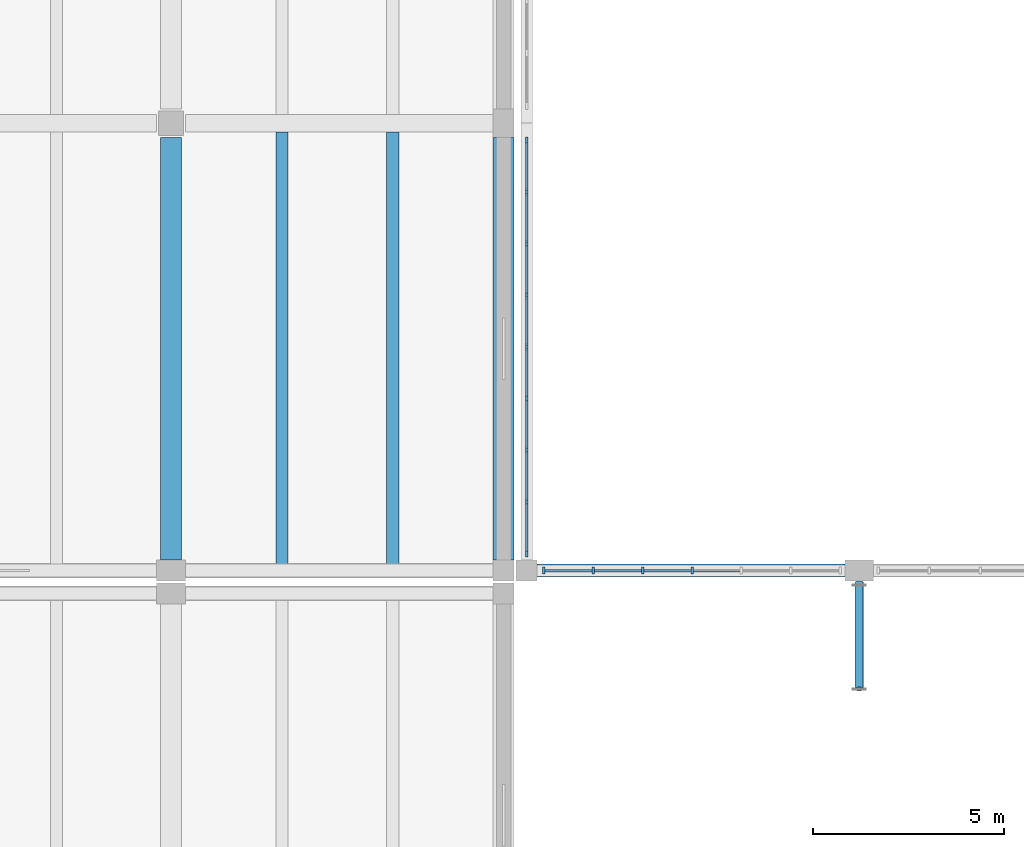
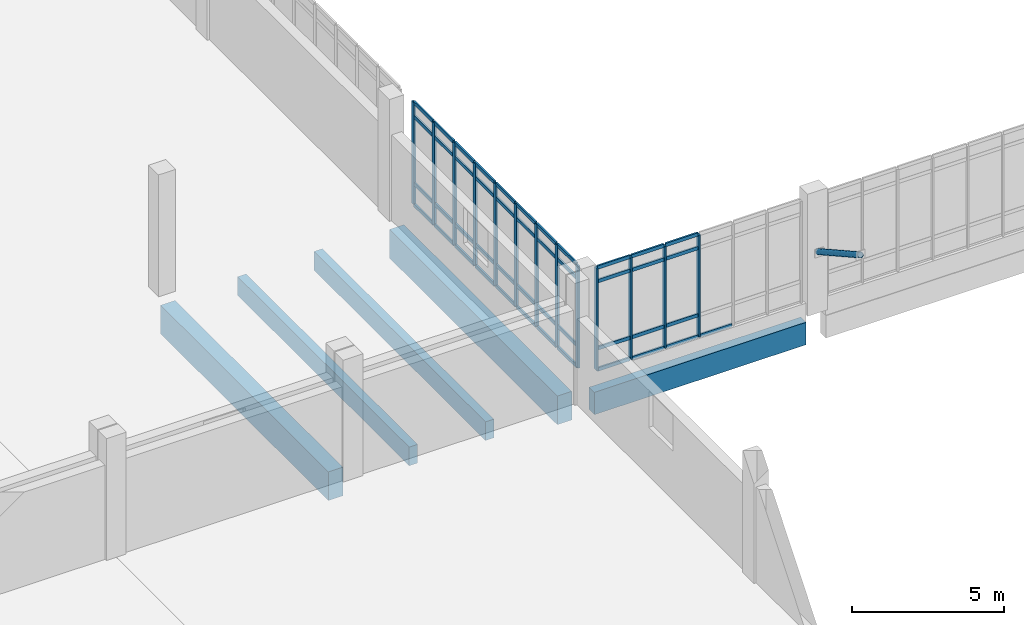
# One storey, part 23 of 110: 59 members, 5 beams, 2 elements without a shape of their own.
"""IFC4 building model written with IfcOpenShell, lengths in metres."""

from ifc_helpers import new_model, si_unit, direction, frame, origin, origin_2d, place, context, subcontext, project, spatial, rectangle, hollow_circle, extrude, material, layer, layer_set, material_profile, profile_set, type_object, element, aggregate, save


model = new_model("IFC4")

# Units and contexts
model_context = context("Model", 3, precision=1e-05, world=origin(), true_north=direction((0.0, 1.0)))
body_context = subcontext(model_context, "Body", "Model", "MODEL_VIEW")
ifc_project = project(units=[si_unit("LENGTHUNIT", "METRE"), si_unit("AREAUNIT", "SQUARE_METRE"), si_unit("VOLUMEUNIT", "CUBIC_METRE"), si_unit("PLANEANGLEUNIT", "RADIAN"), si_unit("MASSUNIT", "GRAM", prefix="KILO")], contexts=[model_context])

# Site, building, storey
site_placement = place(None, origin())
site = spatial("IfcSite", under=ifc_project, at=site_placement, CompositionType="ELEMENT")
building_placement = place(site_placement, origin())
building = spatial("IfcBuilding", under=site, at=building_placement, Name="Zacnel Wholesale Market", CompositionType="ELEMENT")
storey_placement = place(building_placement, frame((0.0, 0.0, 6.300048828125)))
storey = spatial("IfcBuildingStorey", under=building, at=storey_placement, Name="L02", CompositionType="ELEMENT", Elevation=6.300048828125)

# Beams
ifc_material_1 = material(Name="Precast concrete C45/55", Category="concrete")
ifc_material_profile_1 = material_profile(ifc_material_1, rectangle(XDim=0.320068359375, YDim=0.75, at=origin_2d()), Name="DT RIB 320x750")
ifc_profile_set_1 = profile_set([ifc_material_profile_1], Name="Precast concrete C45/55")
beam_type_1 = type_object("IfcBeamType", Name="BM-DT750", PredefinedType="JOIST", material=ifc_profile_set_1)
for number, where, z_axis, x_axis, name in (
    (1, (65.89990234375, 96.47509765625, -0.695068359375), (0.0, 1.0, 0.0), (-1.0, 0.0, 0.0), "Precast secondary joist L02-0289"),
    (2, (68.800048828125, 96.47509765625, -0.695068359375), (0.0, 1.0, 0.0), (-1.0, 0.0, 0.0), "Precast secondary joist L02-0290"),
):
    element("IfcBeam", number, at=place(storey_placement, frame(where, z_axis=z_axis, x_axis=x_axis)), inside=storey, type_object=beam_type_1, Name=name, PredefinedType="JOIST", context=body_context, shape_type="SweptSolid", body=[
        extrude(rectangle(XDim=0.320068359375, YDim=0.75, at=origin_2d()), origin(), (0.0, 0.0, 1.0), 11.2998046875),
    ])
ifc_material_2 = material(Name="Precast concrete C45/55", Category="concrete")
ifc_material_profile_2 = material_profile(ifc_material_2, rectangle(XDim=0.550048828125, YDim=1.14990234375, at=origin_2d()), Name="PG 550x1150")
ifc_profile_set_2 = profile_set([ifc_material_profile_2], Name="Precast concrete C45/55")
beam_type_2 = type_object("IfcBeamType", Name="BM-PG1150", PredefinedType="T_BEAM", material=ifc_profile_set_2)
for number, where, z_axis, x_axis, name in (
    (3, (63.0, 96.574951171875, -0.89501953125), (0.0, 1.0, 0.0), (-1.0, 0.0, 0.0), "Precast girder Y-0397"),
    (4, (71.699951171875, 96.574951171875, -0.89501953125), (0.0, 1.0, 0.0), (-1.0, 0.0, 0.0), "Precast girder Y-0412"),
):
    element("IfcBeam", number, at=place(storey_placement, frame(where, z_axis=z_axis, x_axis=x_axis)), inside=storey, type_object=beam_type_2, Name=name, PredefinedType="T_BEAM", context=body_context, shape_type="SweptSolid", body=[
        extrude(rectangle(XDim=0.550048828125, YDim=1.14990234375, at=origin_2d()), origin(), (0.0, 0.0, 1.0), 11.050048828125),
    ])
ifc_material_3 = material(Name="Precast concrete C45/55", Category="concrete")
ifc_material_profile_3 = material_profile(ifc_material_3, rectangle(XDim=0.35009765625, YDim=0.89990234375, at=origin_2d()), Name="SP 350x900")
ifc_profile_set_3 = profile_set([ifc_material_profile_3], Name="Precast concrete C45/55")
beam_type_3 = type_object("IfcBeamType", Name="BM-SP900", PredefinedType="SPANDREL", material=ifc_profile_set_3)
beam_placement = place(storey_placement, frame((72.574951171875, 96.300048828125, -0.75), z_axis=(1.0, 0.0, 0.0), x_axis=(0.0, 1.0, 0.0)))
element("IfcBeam", 5, at=beam_placement, inside=storey, type_object=beam_type_3, Name="Precast girder X-0229", PredefinedType="SPANDREL", context=body_context, shape_type="SweptSolid", body=[
    extrude(rectangle(XDim=0.35009765625, YDim=0.89990234375, at=origin_2d()), origin(), (0.0, 0.0, 1.0), 8.050048828125),
])

# Curtain wall, members
ifc_material_4 = material(Name="Anodised aluminium", Category="aluminium")
ifc_layer = layer(ifc_material_4, 0.159912109375)
ifc_layer_set = layer_set([ifc_layer], Name="Anodised aluminium")
curtain_wall_type = type_object("IfcCurtainWallType", Name="CW-NAVE-4200", PredefinedType="NOTDEFINED", material=ifc_layer_set)
curtain_wall_1_placement = place(storey_placement, origin())
curtain_wall_1 = element("IfcCurtainWall", 6, at=curtain_wall_1_placement, inside=storey, type_object=curtain_wall_type, Name="Curtain wall ENV-R2-CW-L02-020", PredefinedType="NOTDEFINED")
ifc_material_5 = material(Name="Anodised aluminium", Category="aluminium")
ifc_material_profile_4 = material_profile(ifc_material_5, rectangle(XDim=0.06494140625, YDim=0.179931640625, at=origin_2d()), Name="AW-MULLION 65x180")
ifc_profile_set_4 = profile_set([ifc_material_profile_4], Name="Anodised aluminium")
member_type_1 = type_object("IfcMemberType", Name="CWM-MUL-03", PredefinedType="MULLION", material=ifc_profile_set_4)
member_1_placement = place(storey_placement, frame((72.75, 96.300048828125, 0.449951171875), z_axis=(0.0, 0.0, 1.0), x_axis=(1.0, 0.0, 0.0)))
member_1 = element("IfcMember", 7, at=member_1_placement, type_object=member_type_1, Name="ENV-R2-CW-L02-020 mullion 01", PredefinedType="MULLION", context=body_context, shape_type="SweptSolid", body=[
    extrude(rectangle(XDim=0.06494140625, YDim=0.179931640625, at=origin_2d()), origin(), (0.0, 0.0, 1.0), 4.10009765625),
])
member_2_placement = place(storey_placement, frame((74.04248046875, 96.300048828125, 0.449951171875), z_axis=(0.0, 0.0, 1.0), x_axis=(1.0, 0.0, 0.0)))
member_2 = element("IfcMember", 8, at=member_2_placement, type_object=member_type_1, Name="ENV-R2-CW-L02-020 mullion 02", PredefinedType="MULLION", context=body_context, shape_type="SweptSolid", body=[
    extrude(rectangle(XDim=0.06494140625, YDim=0.179931640625, at=origin_2d()), origin(), (0.0, 0.0, 1.0), 4.10009765625),
])
member_3_placement = place(storey_placement, frame((75.3349609375, 96.300048828125, 0.449951171875), z_axis=(0.0, 0.0, 1.0), x_axis=(1.0, 0.0, 0.0)))
member_3 = element("IfcMember", 9, at=member_3_placement, type_object=member_type_1, Name="ENV-R2-CW-L02-020 mullion 03", PredefinedType="MULLION", context=body_context, shape_type="SweptSolid", body=[
    extrude(rectangle(XDim=0.06494140625, YDim=0.179931640625, at=origin_2d()), origin(), (0.0, 0.0, 1.0), 4.10009765625),
])
member_4_placement = place(storey_placement, frame((76.62744140625, 96.300048828125, 0.449951171875), z_axis=(0.0, 0.0, 1.0), x_axis=(1.0, 0.0, 0.0)))
member_4 = element("IfcMember", 10, at=member_4_placement, type_object=member_type_1, Name="ENV-R2-CW-L02-020 mullion 04", PredefinedType="MULLION", context=body_context, shape_type="SweptSolid", body=[
    extrude(rectangle(XDim=0.06494140625, YDim=0.179931640625, at=origin_2d()), origin(), (0.0, 0.0, 1.0), 4.10009765625),
])

curtain_wall_2_placement = place(storey_placement, origin())
curtain_wall_2 = element("IfcCurtainWall", 11, at=curtain_wall_2_placement, inside=storey, type_object=curtain_wall_type, Name="Curtain wall ENV-R2-CW-L02-029", PredefinedType="NOTDEFINED")
member_5_placement = place(storey_placement, frame((72.300048828125, 96.75, 0.449951171875), z_axis=(0.0, 0.0, 1.0), x_axis=(1.0, 0.0, 0.0)))
member_5 = element("IfcMember", 12, at=member_5_placement, type_object=member_type_1, Name="ENV-R2-CW-L02-029 mullion 01", PredefinedType="MULLION", context=body_context, shape_type="SweptSolid", body=[
    extrude(rectangle(XDim=0.06494140625, YDim=0.179931640625, at=origin_2d()), origin(), (0.0, 0.0, 1.0), 4.10009765625),
])
member_6_placement = place(storey_placement, frame((72.300048828125, 98.10009765625, 0.449951171875), z_axis=(0.0, 0.0, 1.0), x_axis=(1.0, 0.0, 0.0)))
member_6 = element("IfcMember", 13, at=member_6_placement, type_object=member_type_1, Name="ENV-R2-CW-L02-029 mullion 02", PredefinedType="MULLION", context=body_context, shape_type="SweptSolid", body=[
    extrude(rectangle(XDim=0.06494140625, YDim=0.179931640625, at=origin_2d()), origin(), (0.0, 0.0, 1.0), 4.10009765625),
])
member_7_placement = place(storey_placement, frame((72.300048828125, 99.449951171875, 0.449951171875), z_axis=(0.0, 0.0, 1.0), x_axis=(1.0, 0.0, 0.0)))
member_7 = element("IfcMember", 14, at=member_7_placement, type_object=member_type_1, Name="ENV-R2-CW-L02-029 mullion 03", PredefinedType="MULLION", context=body_context, shape_type="SweptSolid", body=[
    extrude(rectangle(XDim=0.06494140625, YDim=0.179931640625, at=origin_2d()), origin(), (0.0, 0.0, 1.0), 4.10009765625),
])
member_8_placement = place(storey_placement, frame((72.300048828125, 100.800048828125, 0.449951171875), z_axis=(0.0, 0.0, 1.0), x_axis=(1.0, 0.0, 0.0)))
member_8 = element("IfcMember", 15, at=member_8_placement, type_object=member_type_1, Name="ENV-R2-CW-L02-029 mullion 04", PredefinedType="MULLION", context=body_context, shape_type="SweptSolid", body=[
    extrude(rectangle(XDim=0.06494140625, YDim=0.179931640625, at=origin_2d()), origin(), (0.0, 0.0, 1.0), 4.10009765625),
])
member_9_placement = place(storey_placement, frame((72.300048828125, 102.14990234375, 0.449951171875), z_axis=(0.0, 0.0, 1.0), x_axis=(1.0, 0.0, 0.0)))
member_9 = element("IfcMember", 16, at=member_9_placement, type_object=member_type_1, Name="ENV-R2-CW-L02-029 mullion 05", PredefinedType="MULLION", context=body_context, shape_type="SweptSolid", body=[
    extrude(rectangle(XDim=0.06494140625, YDim=0.179931640625, at=origin_2d()), origin(), (0.0, 0.0, 1.0), 4.10009765625),
])
member_10_placement = place(storey_placement, frame((72.300048828125, 103.5, 0.449951171875), z_axis=(0.0, 0.0, 1.0), x_axis=(1.0, 0.0, 0.0)))
member_10 = element("IfcMember", 17, at=member_10_placement, type_object=member_type_1, Name="ENV-R2-CW-L02-029 mullion 06", PredefinedType="MULLION", context=body_context, shape_type="SweptSolid", body=[
    extrude(rectangle(XDim=0.06494140625, YDim=0.179931640625, at=origin_2d()), origin(), (0.0, 0.0, 1.0), 4.10009765625),
])
member_11_placement = place(storey_placement, frame((72.300048828125, 104.85009765625, 0.449951171875), z_axis=(0.0, 0.0, 1.0), x_axis=(1.0, 0.0, 0.0)))
member_11 = element("IfcMember", 18, at=member_11_placement, type_object=member_type_1, Name="ENV-R2-CW-L02-029 mullion 07", PredefinedType="MULLION", context=body_context, shape_type="SweptSolid", body=[
    extrude(rectangle(XDim=0.06494140625, YDim=0.179931640625, at=origin_2d()), origin(), (0.0, 0.0, 1.0), 4.10009765625),
])
member_12_placement = place(storey_placement, frame((72.300048828125, 106.199951171875, 0.449951171875), z_axis=(0.0, 0.0, 1.0), x_axis=(1.0, 0.0, 0.0)))
member_12 = element("IfcMember", 19, at=member_12_placement, type_object=member_type_1, Name="ENV-R2-CW-L02-029 mullion 08", PredefinedType="MULLION", context=body_context, shape_type="SweptSolid", body=[
    extrude(rectangle(XDim=0.06494140625, YDim=0.179931640625, at=origin_2d()), origin(), (0.0, 0.0, 1.0), 4.10009765625),
])
member_13_placement = place(storey_placement, frame((72.300048828125, 107.550048828125, 0.449951171875), z_axis=(0.0, 0.0, 1.0), x_axis=(1.0, 0.0, 0.0)))
member_13 = element("IfcMember", 20, at=member_13_placement, type_object=member_type_1, Name="ENV-R2-CW-L02-029 mullion 09", PredefinedType="MULLION", context=body_context, shape_type="SweptSolid", body=[
    extrude(rectangle(XDim=0.06494140625, YDim=0.179931640625, at=origin_2d()), origin(), (0.0, 0.0, 1.0), 4.10009765625),
])

# Member
ifc_material_6 = material(Name="Anodised aluminium", Category="aluminium")
ifc_material_profile_5 = material_profile(ifc_material_6, rectangle(XDim=0.06494140625, YDim=0.139892578125, at=origin_2d()), Name="AW-TRANSOM 65x140")
ifc_profile_set_5 = profile_set([ifc_material_profile_5], Name="Anodised aluminium")
member_type_2 = type_object("IfcMemberType", Name="CWM-TRN-03", PredefinedType="USERDEFINED", material=ifc_profile_set_5)
member_14_placement = place(storey_placement, frame((72.784912109375, 96.300048828125, 0.449951171875), z_axis=(1.0, 0.0, 0.0), x_axis=(0.0, 1.0, 0.0)))
member_14 = element("IfcMember", 21, at=member_14_placement, type_object=member_type_2, Name="ENV-R2-CW-L02-020 transom 1-1", ObjectType="TRANSOM", PredefinedType="USERDEFINED", context=body_context, shape_type="SweptSolid", body=[
    extrude(rectangle(XDim=0.06494140625, YDim=0.139892578125, at=origin_2d()), origin(), (0.0, 0.0, 1.0), 1.22265625),
])

member_15_placement = place(storey_placement, frame((72.784912109375, 96.300048828125, 1.300048828125), z_axis=(1.0, 0.0, 0.0), x_axis=(0.0, 1.0, 0.0)))
member_15 = element("IfcMember", 22, at=member_15_placement, type_object=member_type_2, Name="ENV-R2-CW-L02-020 transom 1-2", ObjectType="TRANSOM", PredefinedType="USERDEFINED", context=body_context, shape_type="SweptSolid", body=[
    extrude(rectangle(XDim=0.06494140625, YDim=0.139892578125, at=origin_2d()), origin(), (0.0, 0.0, 1.0), 1.22265625),
])

member_16_placement = place(storey_placement, frame((72.784912109375, 96.300048828125, 4.0), z_axis=(1.0, 0.0, 0.0), x_axis=(0.0, 1.0, 0.0)))
member_16 = element("IfcMember", 23, at=member_16_placement, type_object=member_type_2, Name="ENV-R2-CW-L02-020 transom 1-3", ObjectType="TRANSOM", PredefinedType="USERDEFINED", context=body_context, shape_type="SweptSolid", body=[
    extrude(rectangle(XDim=0.06494140625, YDim=0.139892578125, at=origin_2d()), origin(), (0.0, 0.0, 1.0), 1.22265625),
])

member_17_placement = place(storey_placement, frame((72.784912109375, 96.300048828125, 4.550048828125), z_axis=(1.0, 0.0, 0.0), x_axis=(0.0, 1.0, 0.0)))
member_17 = element("IfcMember", 24, at=member_17_placement, type_object=member_type_2, Name="ENV-R2-CW-L02-020 transom 1-4", ObjectType="TRANSOM", PredefinedType="USERDEFINED", context=body_context, shape_type="SweptSolid", body=[
    extrude(rectangle(XDim=0.06494140625, YDim=0.139892578125, at=origin_2d()), origin(), (0.0, 0.0, 1.0), 1.22265625),
])

member_18_placement = place(storey_placement, frame((74.077392578125, 96.300048828125, 0.449951171875), z_axis=(1.0, 0.0, 0.0), x_axis=(0.0, 1.0, 0.0)))
member_18 = element("IfcMember", 25, at=member_18_placement, type_object=member_type_2, Name="ENV-R2-CW-L02-020 transom 2-1", ObjectType="TRANSOM", PredefinedType="USERDEFINED", context=body_context, shape_type="SweptSolid", body=[
    extrude(rectangle(XDim=0.06494140625, YDim=0.139892578125, at=origin_2d()), origin(), (0.0, 0.0, 1.0), 1.22265625),
])

member_19_placement = place(storey_placement, frame((74.077392578125, 96.300048828125, 1.300048828125), z_axis=(1.0, 0.0, 0.0), x_axis=(0.0, 1.0, 0.0)))
member_19 = element("IfcMember", 26, at=member_19_placement, type_object=member_type_2, Name="ENV-R2-CW-L02-020 transom 2-2", ObjectType="TRANSOM", PredefinedType="USERDEFINED", context=body_context, shape_type="SweptSolid", body=[
    extrude(rectangle(XDim=0.06494140625, YDim=0.139892578125, at=origin_2d()), origin(), (0.0, 0.0, 1.0), 1.22265625),
])

member_20_placement = place(storey_placement, frame((74.077392578125, 96.300048828125, 4.0), z_axis=(1.0, 0.0, 0.0), x_axis=(0.0, 1.0, 0.0)))
member_20 = element("IfcMember", 27, at=member_20_placement, type_object=member_type_2, Name="ENV-R2-CW-L02-020 transom 2-3", ObjectType="TRANSOM", PredefinedType="USERDEFINED", context=body_context, shape_type="SweptSolid", body=[
    extrude(rectangle(XDim=0.06494140625, YDim=0.139892578125, at=origin_2d()), origin(), (0.0, 0.0, 1.0), 1.22265625),
])

member_21_placement = place(storey_placement, frame((74.077392578125, 96.300048828125, 4.550048828125), z_axis=(1.0, 0.0, 0.0), x_axis=(0.0, 1.0, 0.0)))
member_21 = element("IfcMember", 28, at=member_21_placement, type_object=member_type_2, Name="ENV-R2-CW-L02-020 transom 2-4", ObjectType="TRANSOM", PredefinedType="USERDEFINED", context=body_context, shape_type="SweptSolid", body=[
    extrude(rectangle(XDim=0.06494140625, YDim=0.139892578125, at=origin_2d()), origin(), (0.0, 0.0, 1.0), 1.22265625),
])

member_22_placement = place(storey_placement, frame((75.3701171875, 96.300048828125, 0.449951171875), z_axis=(1.0, 0.0, 0.0), x_axis=(0.0, 1.0, 0.0)))
member_22 = element("IfcMember", 29, at=member_22_placement, type_object=member_type_2, Name="ENV-R2-CW-L02-020 transom 3-1", ObjectType="TRANSOM", PredefinedType="USERDEFINED", context=body_context, shape_type="SweptSolid", body=[
    extrude(rectangle(XDim=0.06494140625, YDim=0.139892578125, at=origin_2d()), origin(), (0.0, 0.0, 1.0), 1.222412109375),
])

member_23_placement = place(storey_placement, frame((75.3701171875, 96.300048828125, 1.300048828125), z_axis=(1.0, 0.0, 0.0), x_axis=(0.0, 1.0, 0.0)))
member_23 = element("IfcMember", 30, at=member_23_placement, type_object=member_type_2, Name="ENV-R2-CW-L02-020 transom 3-2", ObjectType="TRANSOM", PredefinedType="USERDEFINED", context=body_context, shape_type="SweptSolid", body=[
    extrude(rectangle(XDim=0.06494140625, YDim=0.139892578125, at=origin_2d()), origin(), (0.0, 0.0, 1.0), 1.222412109375),
])

member_24_placement = place(storey_placement, frame((75.3701171875, 96.300048828125, 4.0), z_axis=(1.0, 0.0, 0.0), x_axis=(0.0, 1.0, 0.0)))
member_24 = element("IfcMember", 31, at=member_24_placement, type_object=member_type_2, Name="ENV-R2-CW-L02-020 transom 3-3", ObjectType="TRANSOM", PredefinedType="USERDEFINED", context=body_context, shape_type="SweptSolid", body=[
    extrude(rectangle(XDim=0.06494140625, YDim=0.139892578125, at=origin_2d()), origin(), (0.0, 0.0, 1.0), 1.222412109375),
])

member_25_placement = place(storey_placement, frame((75.3701171875, 96.300048828125, 4.550048828125), z_axis=(1.0, 0.0, 0.0), x_axis=(0.0, 1.0, 0.0)))
member_25 = element("IfcMember", 32, at=member_25_placement, type_object=member_type_2, Name="ENV-R2-CW-L02-020 transom 3-4", ObjectType="TRANSOM", PredefinedType="USERDEFINED", context=body_context, shape_type="SweptSolid", body=[
    extrude(rectangle(XDim=0.06494140625, YDim=0.139892578125, at=origin_2d()), origin(), (0.0, 0.0, 1.0), 1.222412109375),
])

member_26_placement = place(storey_placement, frame((76.66259765625, 96.300048828125, 0.449951171875), z_axis=(1.0, 0.0, 0.0), x_axis=(0.0, 1.0, 0.0)))
member_26 = element("IfcMember", 33, at=member_26_placement, type_object=member_type_2, Name="ENV-R2-CW-L02-020 transom 4-1", ObjectType="TRANSOM", PredefinedType="USERDEFINED", context=body_context, shape_type="SweptSolid", body=[
    extrude(rectangle(XDim=0.06494140625, YDim=0.139892578125, at=origin_2d()), origin(), (0.0, 0.0, 1.0), 1.222412109375),
])

aggregate(curtain_wall_1, [member_1, member_2, member_3, member_4, member_14, member_15, member_16, member_17, member_18, member_19, member_20, member_21, member_22, member_23, member_24, member_25, member_26])

member_27_placement = place(storey_placement, frame((72.300048828125, 96.784912109375, 0.449951171875), z_axis=(0.0, 1.0, 0.0), x_axis=(-1.0, 0.0, 0.0)))
member_27 = element("IfcMember", 34, at=member_27_placement, type_object=member_type_2, Name="ENV-R2-CW-L02-029 transom 1-1", ObjectType="TRANSOM", PredefinedType="USERDEFINED", context=body_context, shape_type="SweptSolid", body=[
    extrude(rectangle(XDim=0.06494140625, YDim=0.139892578125, at=origin_2d()), origin(), (0.0, 0.0, 1.0), 1.280029296875),
])

member_28_placement = place(storey_placement, frame((72.300048828125, 96.784912109375, 1.300048828125), z_axis=(0.0, 1.0, 0.0), x_axis=(-1.0, 0.0, 0.0)))
member_28 = element("IfcMember", 35, at=member_28_placement, type_object=member_type_2, Name="ENV-R2-CW-L02-029 transom 1-2", ObjectType="TRANSOM", PredefinedType="USERDEFINED", context=body_context, shape_type="SweptSolid", body=[
    extrude(rectangle(XDim=0.06494140625, YDim=0.139892578125, at=origin_2d()), origin(), (0.0, 0.0, 1.0), 1.280029296875),
])

member_29_placement = place(storey_placement, frame((72.300048828125, 96.784912109375, 4.0), z_axis=(0.0, 1.0, 0.0), x_axis=(-1.0, 0.0, 0.0)))
member_29 = element("IfcMember", 36, at=member_29_placement, type_object=member_type_2, Name="ENV-R2-CW-L02-029 transom 1-3", ObjectType="TRANSOM", PredefinedType="USERDEFINED", context=body_context, shape_type="SweptSolid", body=[
    extrude(rectangle(XDim=0.06494140625, YDim=0.139892578125, at=origin_2d()), origin(), (0.0, 0.0, 1.0), 1.280029296875),
])

member_30_placement = place(storey_placement, frame((72.300048828125, 96.784912109375, 4.550048828125), z_axis=(0.0, 1.0, 0.0), x_axis=(-1.0, 0.0, 0.0)))
member_30 = element("IfcMember", 37, at=member_30_placement, type_object=member_type_2, Name="ENV-R2-CW-L02-029 transom 1-4", ObjectType="TRANSOM", PredefinedType="USERDEFINED", context=body_context, shape_type="SweptSolid", body=[
    extrude(rectangle(XDim=0.06494140625, YDim=0.139892578125, at=origin_2d()), origin(), (0.0, 0.0, 1.0), 1.280029296875),
])

member_31_placement = place(storey_placement, frame((72.300048828125, 98.135009765625, 0.449951171875), z_axis=(0.0, 1.0, 0.0), x_axis=(-1.0, 0.0, 0.0)))
member_31 = element("IfcMember", 38, at=member_31_placement, type_object=member_type_2, Name="ENV-R2-CW-L02-029 transom 2-1", ObjectType="TRANSOM", PredefinedType="USERDEFINED", context=body_context, shape_type="SweptSolid", body=[
    extrude(rectangle(XDim=0.06494140625, YDim=0.139892578125, at=origin_2d()), origin(), (0.0, 0.0, 1.0), 1.280029296875),
])

member_32_placement = place(storey_placement, frame((72.300048828125, 98.135009765625, 1.300048828125), z_axis=(0.0, 1.0, 0.0), x_axis=(-1.0, 0.0, 0.0)))
member_32 = element("IfcMember", 39, at=member_32_placement, type_object=member_type_2, Name="ENV-R2-CW-L02-029 transom 2-2", ObjectType="TRANSOM", PredefinedType="USERDEFINED", context=body_context, shape_type="SweptSolid", body=[
    extrude(rectangle(XDim=0.06494140625, YDim=0.139892578125, at=origin_2d()), origin(), (0.0, 0.0, 1.0), 1.280029296875),
])

member_33_placement = place(storey_placement, frame((72.300048828125, 98.135009765625, 4.0), z_axis=(0.0, 1.0, 0.0), x_axis=(-1.0, 0.0, 0.0)))
member_33 = element("IfcMember", 40, at=member_33_placement, type_object=member_type_2, Name="ENV-R2-CW-L02-029 transom 2-3", ObjectType="TRANSOM", PredefinedType="USERDEFINED", context=body_context, shape_type="SweptSolid", body=[
    extrude(rectangle(XDim=0.06494140625, YDim=0.139892578125, at=origin_2d()), origin(), (0.0, 0.0, 1.0), 1.280029296875),
])

member_34_placement = place(storey_placement, frame((72.300048828125, 98.135009765625, 4.550048828125), z_axis=(0.0, 1.0, 0.0), x_axis=(-1.0, 0.0, 0.0)))
member_34 = element("IfcMember", 41, at=member_34_placement, type_object=member_type_2, Name="ENV-R2-CW-L02-029 transom 2-4", ObjectType="TRANSOM", PredefinedType="USERDEFINED", context=body_context, shape_type="SweptSolid", body=[
    extrude(rectangle(XDim=0.06494140625, YDim=0.139892578125, at=origin_2d()), origin(), (0.0, 0.0, 1.0), 1.280029296875),
])

member_35_placement = place(storey_placement, frame((72.300048828125, 99.485107421875, 0.449951171875), z_axis=(0.0, 1.0, 0.0), x_axis=(-1.0, 0.0, 0.0)))
member_35 = element("IfcMember", 42, at=member_35_placement, type_object=member_type_2, Name="ENV-R2-CW-L02-029 transom 3-1", ObjectType="TRANSOM", PredefinedType="USERDEFINED", context=body_context, shape_type="SweptSolid", body=[
    extrude(rectangle(XDim=0.06494140625, YDim=0.139892578125, at=origin_2d()), origin(), (0.0, 0.0, 1.0), 1.27978515625),
])

member_36_placement = place(storey_placement, frame((72.300048828125, 99.485107421875, 1.300048828125), z_axis=(0.0, 1.0, 0.0), x_axis=(-1.0, 0.0, 0.0)))
member_36 = element("IfcMember", 43, at=member_36_placement, type_object=member_type_2, Name="ENV-R2-CW-L02-029 transom 3-2", ObjectType="TRANSOM", PredefinedType="USERDEFINED", context=body_context, shape_type="SweptSolid", body=[
    extrude(rectangle(XDim=0.06494140625, YDim=0.139892578125, at=origin_2d()), origin(), (0.0, 0.0, 1.0), 1.27978515625),
])

member_37_placement = place(storey_placement, frame((72.300048828125, 99.485107421875, 4.0), z_axis=(0.0, 1.0, 0.0), x_axis=(-1.0, 0.0, 0.0)))
member_37 = element("IfcMember", 44, at=member_37_placement, type_object=member_type_2, Name="ENV-R2-CW-L02-029 transom 3-3", ObjectType="TRANSOM", PredefinedType="USERDEFINED", context=body_context, shape_type="SweptSolid", body=[
    extrude(rectangle(XDim=0.06494140625, YDim=0.139892578125, at=origin_2d()), origin(), (0.0, 0.0, 1.0), 1.27978515625),
])

member_38_placement = place(storey_placement, frame((72.300048828125, 99.485107421875, 4.550048828125), z_axis=(0.0, 1.0, 0.0), x_axis=(-1.0, 0.0, 0.0)))
member_38 = element("IfcMember", 45, at=member_38_placement, type_object=member_type_2, Name="ENV-R2-CW-L02-029 transom 3-4", ObjectType="TRANSOM", PredefinedType="USERDEFINED", context=body_context, shape_type="SweptSolid", body=[
    extrude(rectangle(XDim=0.06494140625, YDim=0.139892578125, at=origin_2d()), origin(), (0.0, 0.0, 1.0), 1.27978515625),
])

member_39_placement = place(storey_placement, frame((72.300048828125, 100.8349609375, 0.449951171875), z_axis=(0.0, 1.0, 0.0), x_axis=(-1.0, 0.0, 0.0)))
member_39 = element("IfcMember", 46, at=member_39_placement, type_object=member_type_2, Name="ENV-R2-CW-L02-029 transom 4-1", ObjectType="TRANSOM", PredefinedType="USERDEFINED", context=body_context, shape_type="SweptSolid", body=[
    extrude(rectangle(XDim=0.06494140625, YDim=0.139892578125, at=origin_2d()), origin(), (0.0, 0.0, 1.0), 1.280029296875),
])

member_40_placement = place(storey_placement, frame((72.300048828125, 100.8349609375, 1.300048828125), z_axis=(0.0, 1.0, 0.0), x_axis=(-1.0, 0.0, 0.0)))
member_40 = element("IfcMember", 47, at=member_40_placement, type_object=member_type_2, Name="ENV-R2-CW-L02-029 transom 4-2", ObjectType="TRANSOM", PredefinedType="USERDEFINED", context=body_context, shape_type="SweptSolid", body=[
    extrude(rectangle(XDim=0.06494140625, YDim=0.139892578125, at=origin_2d()), origin(), (0.0, 0.0, 1.0), 1.280029296875),
])

member_41_placement = place(storey_placement, frame((72.300048828125, 100.8349609375, 4.0), z_axis=(0.0, 1.0, 0.0), x_axis=(-1.0, 0.0, 0.0)))
member_41 = element("IfcMember", 48, at=member_41_placement, type_object=member_type_2, Name="ENV-R2-CW-L02-029 transom 4-3", ObjectType="TRANSOM", PredefinedType="USERDEFINED", context=body_context, shape_type="SweptSolid", body=[
    extrude(rectangle(XDim=0.06494140625, YDim=0.139892578125, at=origin_2d()), origin(), (0.0, 0.0, 1.0), 1.280029296875),
])

member_42_placement = place(storey_placement, frame((72.300048828125, 100.8349609375, 4.550048828125), z_axis=(0.0, 1.0, 0.0), x_axis=(-1.0, 0.0, 0.0)))
member_42 = element("IfcMember", 49, at=member_42_placement, type_object=member_type_2, Name="ENV-R2-CW-L02-029 transom 4-4", ObjectType="TRANSOM", PredefinedType="USERDEFINED", context=body_context, shape_type="SweptSolid", body=[
    extrude(rectangle(XDim=0.06494140625, YDim=0.139892578125, at=origin_2d()), origin(), (0.0, 0.0, 1.0), 1.280029296875),
])

member_43_placement = place(storey_placement, frame((72.300048828125, 102.18505859375, 0.449951171875), z_axis=(0.0, 1.0, 0.0), x_axis=(-1.0, 0.0, 0.0)))
member_43 = element("IfcMember", 50, at=member_43_placement, type_object=member_type_2, Name="ENV-R2-CW-L02-029 transom 5-1", ObjectType="TRANSOM", PredefinedType="USERDEFINED", context=body_context, shape_type="SweptSolid", body=[
    extrude(rectangle(XDim=0.06494140625, YDim=0.139892578125, at=origin_2d()), origin(), (0.0, 0.0, 1.0), 1.280029296875),
])

member_44_placement = place(storey_placement, frame((72.300048828125, 102.18505859375, 1.300048828125), z_axis=(0.0, 1.0, 0.0), x_axis=(-1.0, 0.0, 0.0)))
member_44 = element("IfcMember", 51, at=member_44_placement, type_object=member_type_2, Name="ENV-R2-CW-L02-029 transom 5-2", ObjectType="TRANSOM", PredefinedType="USERDEFINED", context=body_context, shape_type="SweptSolid", body=[
    extrude(rectangle(XDim=0.06494140625, YDim=0.139892578125, at=origin_2d()), origin(), (0.0, 0.0, 1.0), 1.280029296875),
])

member_45_placement = place(storey_placement, frame((72.300048828125, 102.18505859375, 4.0), z_axis=(0.0, 1.0, 0.0), x_axis=(-1.0, 0.0, 0.0)))
member_45 = element("IfcMember", 52, at=member_45_placement, type_object=member_type_2, Name="ENV-R2-CW-L02-029 transom 5-3", ObjectType="TRANSOM", PredefinedType="USERDEFINED", context=body_context, shape_type="SweptSolid", body=[
    extrude(rectangle(XDim=0.06494140625, YDim=0.139892578125, at=origin_2d()), origin(), (0.0, 0.0, 1.0), 1.280029296875),
])

member_46_placement = place(storey_placement, frame((72.300048828125, 102.18505859375, 4.550048828125), z_axis=(0.0, 1.0, 0.0), x_axis=(-1.0, 0.0, 0.0)))
member_46 = element("IfcMember", 53, at=member_46_placement, type_object=member_type_2, Name="ENV-R2-CW-L02-029 transom 5-4", ObjectType="TRANSOM", PredefinedType="USERDEFINED", context=body_context, shape_type="SweptSolid", body=[
    extrude(rectangle(XDim=0.06494140625, YDim=0.139892578125, at=origin_2d()), origin(), (0.0, 0.0, 1.0), 1.280029296875),
])

member_47_placement = place(storey_placement, frame((72.300048828125, 103.534912109375, 0.449951171875), z_axis=(0.0, 1.0, 0.0), x_axis=(-1.0, 0.0, 0.0)))
member_47 = element("IfcMember", 54, at=member_47_placement, type_object=member_type_2, Name="ENV-R2-CW-L02-029 transom 6-1", ObjectType="TRANSOM", PredefinedType="USERDEFINED", context=body_context, shape_type="SweptSolid", body=[
    extrude(rectangle(XDim=0.06494140625, YDim=0.139892578125, at=origin_2d()), origin(), (0.0, 0.0, 1.0), 1.280029296875),
])

member_48_placement = place(storey_placement, frame((72.300048828125, 103.534912109375, 1.300048828125), z_axis=(0.0, 1.0, 0.0), x_axis=(-1.0, 0.0, 0.0)))
member_48 = element("IfcMember", 55, at=member_48_placement, type_object=member_type_2, Name="ENV-R2-CW-L02-029 transom 6-2", ObjectType="TRANSOM", PredefinedType="USERDEFINED", context=body_context, shape_type="SweptSolid", body=[
    extrude(rectangle(XDim=0.06494140625, YDim=0.139892578125, at=origin_2d()), origin(), (0.0, 0.0, 1.0), 1.280029296875),
])

member_49_placement = place(storey_placement, frame((72.300048828125, 103.534912109375, 4.0), z_axis=(0.0, 1.0, 0.0), x_axis=(-1.0, 0.0, 0.0)))
member_49 = element("IfcMember", 56, at=member_49_placement, type_object=member_type_2, Name="ENV-R2-CW-L02-029 transom 6-3", ObjectType="TRANSOM", PredefinedType="USERDEFINED", context=body_context, shape_type="SweptSolid", body=[
    extrude(rectangle(XDim=0.06494140625, YDim=0.139892578125, at=origin_2d()), origin(), (0.0, 0.0, 1.0), 1.280029296875),
])

member_50_placement = place(storey_placement, frame((72.300048828125, 103.534912109375, 4.550048828125), z_axis=(0.0, 1.0, 0.0), x_axis=(-1.0, 0.0, 0.0)))
member_50 = element("IfcMember", 57, at=member_50_placement, type_object=member_type_2, Name="ENV-R2-CW-L02-029 transom 6-4", ObjectType="TRANSOM", PredefinedType="USERDEFINED", context=body_context, shape_type="SweptSolid", body=[
    extrude(rectangle(XDim=0.06494140625, YDim=0.139892578125, at=origin_2d()), origin(), (0.0, 0.0, 1.0), 1.280029296875),
])

member_51_placement = place(storey_placement, frame((72.300048828125, 104.885009765625, 0.449951171875), z_axis=(0.0, 1.0, 0.0), x_axis=(-1.0, 0.0, 0.0)))
member_51 = element("IfcMember", 58, at=member_51_placement, type_object=member_type_2, Name="ENV-R2-CW-L02-029 transom 7-1", ObjectType="TRANSOM", PredefinedType="USERDEFINED", context=body_context, shape_type="SweptSolid", body=[
    extrude(rectangle(XDim=0.06494140625, YDim=0.139892578125, at=origin_2d()), origin(), (0.0, 0.0, 1.0), 1.280029296875),
])

member_52_placement = place(storey_placement, frame((72.300048828125, 104.885009765625, 1.300048828125), z_axis=(0.0, 1.0, 0.0), x_axis=(-1.0, 0.0, 0.0)))
member_52 = element("IfcMember", 59, at=member_52_placement, type_object=member_type_2, Name="ENV-R2-CW-L02-029 transom 7-2", ObjectType="TRANSOM", PredefinedType="USERDEFINED", context=body_context, shape_type="SweptSolid", body=[
    extrude(rectangle(XDim=0.06494140625, YDim=0.139892578125, at=origin_2d()), origin(), (0.0, 0.0, 1.0), 1.280029296875),
])

member_53_placement = place(storey_placement, frame((72.300048828125, 104.885009765625, 4.0), z_axis=(0.0, 1.0, 0.0), x_axis=(-1.0, 0.0, 0.0)))
member_53 = element("IfcMember", 60, at=member_53_placement, type_object=member_type_2, Name="ENV-R2-CW-L02-029 transom 7-3", ObjectType="TRANSOM", PredefinedType="USERDEFINED", context=body_context, shape_type="SweptSolid", body=[
    extrude(rectangle(XDim=0.06494140625, YDim=0.139892578125, at=origin_2d()), origin(), (0.0, 0.0, 1.0), 1.280029296875),
])

member_54_placement = place(storey_placement, frame((72.300048828125, 104.885009765625, 4.550048828125), z_axis=(0.0, 1.0, 0.0), x_axis=(-1.0, 0.0, 0.0)))
member_54 = element("IfcMember", 61, at=member_54_placement, type_object=member_type_2, Name="ENV-R2-CW-L02-029 transom 7-4", ObjectType="TRANSOM", PredefinedType="USERDEFINED", context=body_context, shape_type="SweptSolid", body=[
    extrude(rectangle(XDim=0.06494140625, YDim=0.139892578125, at=origin_2d()), origin(), (0.0, 0.0, 1.0), 1.280029296875),
])

member_55_placement = place(storey_placement, frame((72.300048828125, 106.235107421875, 0.449951171875), z_axis=(0.0, 1.0, 0.0), x_axis=(-1.0, 0.0, 0.0)))
member_55 = element("IfcMember", 62, at=member_55_placement, type_object=member_type_2, Name="ENV-R2-CW-L02-029 transom 8-1", ObjectType="TRANSOM", PredefinedType="USERDEFINED", context=body_context, shape_type="SweptSolid", body=[
    extrude(rectangle(XDim=0.06494140625, YDim=0.139892578125, at=origin_2d()), origin(), (0.0, 0.0, 1.0), 1.27978515625),
])

member_56_placement = place(storey_placement, frame((72.300048828125, 106.235107421875, 1.300048828125), z_axis=(0.0, 1.0, 0.0), x_axis=(-1.0, 0.0, 0.0)))
member_56 = element("IfcMember", 63, at=member_56_placement, type_object=member_type_2, Name="ENV-R2-CW-L02-029 transom 8-2", ObjectType="TRANSOM", PredefinedType="USERDEFINED", context=body_context, shape_type="SweptSolid", body=[
    extrude(rectangle(XDim=0.06494140625, YDim=0.139892578125, at=origin_2d()), origin(), (0.0, 0.0, 1.0), 1.27978515625),
])

member_57_placement = place(storey_placement, frame((72.300048828125, 106.235107421875, 4.0), z_axis=(0.0, 1.0, 0.0), x_axis=(-1.0, 0.0, 0.0)))
member_57 = element("IfcMember", 64, at=member_57_placement, type_object=member_type_2, Name="ENV-R2-CW-L02-029 transom 8-3", ObjectType="TRANSOM", PredefinedType="USERDEFINED", context=body_context, shape_type="SweptSolid", body=[
    extrude(rectangle(XDim=0.06494140625, YDim=0.139892578125, at=origin_2d()), origin(), (0.0, 0.0, 1.0), 1.27978515625),
])

member_58_placement = place(storey_placement, frame((72.300048828125, 106.235107421875, 4.550048828125), z_axis=(0.0, 1.0, 0.0), x_axis=(-1.0, 0.0, 0.0)))
member_58 = element("IfcMember", 65, at=member_58_placement, type_object=member_type_2, Name="ENV-R2-CW-L02-029 transom 8-4", ObjectType="TRANSOM", PredefinedType="USERDEFINED", context=body_context, shape_type="SweptSolid", body=[
    extrude(rectangle(XDim=0.06494140625, YDim=0.139892578125, at=origin_2d()), origin(), (0.0, 0.0, 1.0), 1.27978515625),
])

aggregate(curtain_wall_2, [member_5, member_6, member_7, member_8, member_9, member_10, member_11, member_12, member_13, member_27, member_28, member_29, member_30, member_31, member_32, member_33, member_34, member_35, member_36, member_37, member_38, member_39, member_40, member_41, member_42, member_43, member_44, member_45, member_46, member_47, member_48, member_49, member_50, member_51, member_52, member_53, member_54, member_55, member_56, member_57, member_58])

ifc_material_7 = material(Name="Steel S355", Category="steel")
ifc_material_profile_6 = material_profile(ifc_material_7, hollow_circle(Radius=0.109619140625, WallThickness=0.010009765625, at=origin_2d()), Name="CHS 219.1x10")
ifc_profile_set_6 = profile_set([ifc_material_profile_6], Name="Steel S355")
member_type_3 = type_object("IfcMemberType", Name="MEM-STR-CHS219", PredefinedType="STRUT", material=ifc_profile_set_6)
member_59_placement = place(storey_placement, frame((81.0, 95.97998046875, 2.5), z_axis=(0.0, -0.873410930295, 0.48698392873), x_axis=(1.0, 0.0, 0.0)))
element("IfcMember", 66, at=member_59_placement, inside=storey, type_object=member_type_3, Name="Storm eave knee strut 001", PredefinedType="STRUT", context=body_context, shape_type="SweptSolid", body=[
    extrude(hollow_circle(Radius=0.109619140625, WallThickness=0.010009765625, at=origin_2d()), origin(), (0.0, 0.0, 1.0), 3.182861328125),
])

save(model, "model.ifc")
